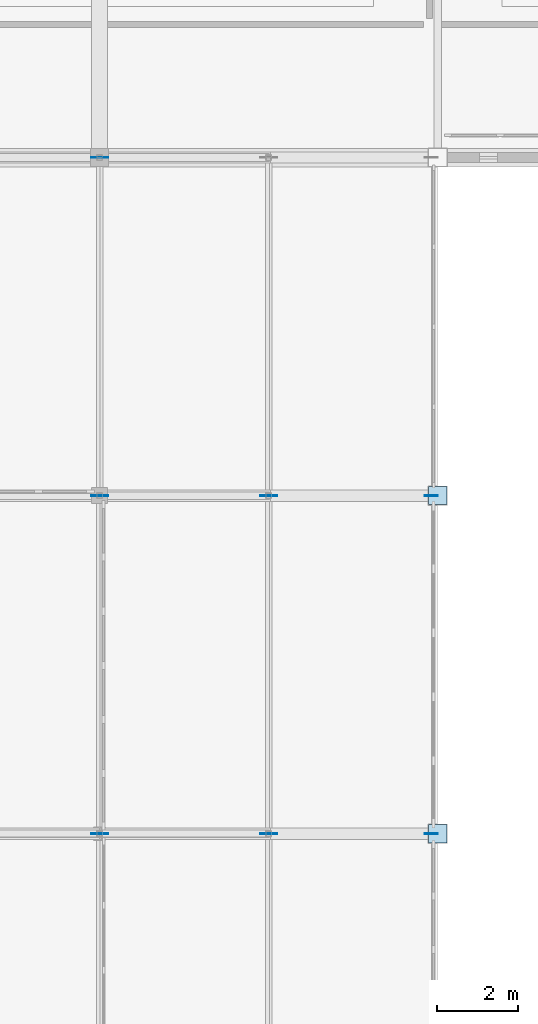
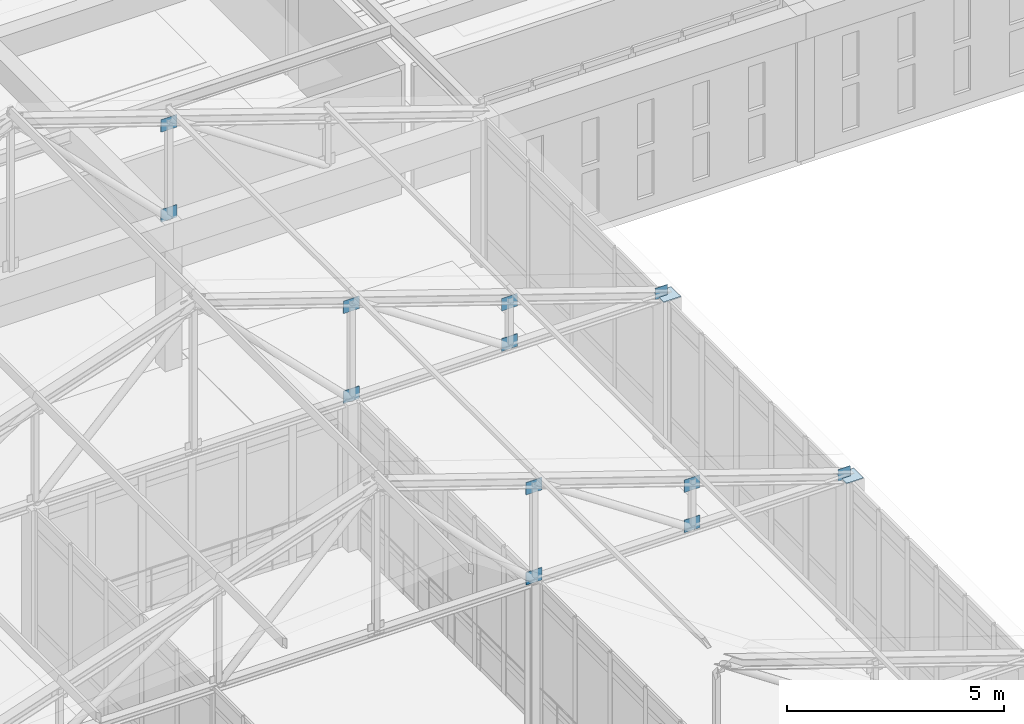
# One storey, part 154 of 192: 14 plates.
"""IFC4 building model written with IfcOpenShell, lengths in metres."""

from ifc_helpers import new_model, si_unit, direction, frame, origin, origin_2d, place, context, subcontext, project, spatial, rectangle, extrude, material, layer, layer_set, type_object, element, save


model = new_model("IFC4")

# Units and contexts
model_context = context("Model", 3, precision=1e-05, world=origin(), true_north=direction((0.0, 1.0)))
body_context = subcontext(model_context, "Body", "Model", "MODEL_VIEW")
ifc_project = project(units=[si_unit("LENGTHUNIT", "METRE"), si_unit("AREAUNIT", "SQUARE_METRE"), si_unit("VOLUMEUNIT", "CUBIC_METRE"), si_unit("PLANEANGLEUNIT", "RADIAN"), si_unit("MASSUNIT", "GRAM", prefix="KILO")], contexts=[model_context])

# Site, building, storey
site_placement = place(None, origin())
site = spatial("IfcSite", under=ifc_project, at=site_placement, CompositionType="ELEMENT")
building_placement = place(site_placement, origin())
building = spatial("IfcBuilding", under=site, at=building_placement, Name="Kveldsbrygga Polytechnic", CompositionType="ELEMENT")
storey_placement = place(building_placement, frame((0.0, 0.0, 5.43994140625)))
storey = spatial("IfcBuildingStorey", under=building, at=storey_placement, Name="L01", CompositionType="ELEMENT", Elevation=5.43994140625)

# Plates
ifc_material = material(Name="Steel S355", Category="steel")
ifc_layer_1 = layer(ifc_material, 0.030029296875)
ifc_layer_set_1 = layer_set([ifc_layer_1], Name="Steel S355")
plate_type_1 = type_object("IfcPlateType", Name="CAP-BEAR-450", PredefinedType="SHEET", material=ifc_layer_set_1)
for number, where, z_axis, x_axis, name in (
    (1, (75.60009765625, 67.199951171875, 4.08984375), (0.0, 0.0, 1.0), (1.0, 0.0, 0.0), "Truss Bearing Plate V5C-T08-B"),
    (2, (75.60009765625, 75.60009765625, 4.08984375), (0.0, 0.0, 1.0), (1.0, 0.0, 0.0), "Truss Bearing Plate V5C-T09-B"),
):
    element("IfcPlate", number, at=place(storey_placement, frame(where, z_axis=z_axis, x_axis=x_axis)), inside=storey, type_object=plate_type_1, Name=name, PredefinedType="SHEET", context=body_context, shape_type="SweptSolid", body=[
        extrude(rectangle(XDim=0.449951171875, YDim=0.449951171875, at=origin_2d()), origin(), (0.0, 0.0, 1.0), 0.030029296875),
    ])
ifc_layer_2 = layer(ifc_material, 0.01806640625)
ifc_layer_set_2 = layer_set([ifc_layer_2], Name="Steel S355")
plate_type_2 = type_object("IfcPlateType", Name="GUS-BRACE-320", PredefinedType="SHEET", material=ifc_layer_set_2)
for number, where, z_axis, x_axis, name in (
    (3, (75.43994140625, 67.199951171875, 4.080078125), (0.0, 0.0, 1.0), (1.0, 0.0, 0.0), "Truss Eaves Node Gusset V5C-T08-EGP-B"),
    (4, (75.43994140625, 75.60009765625, 4.080078125), (0.0, 0.0, 1.0), (1.0, 0.0, 0.0), "Truss Eaves Node Gusset V5C-T09-EGP-B"),
):
    element("IfcPlate", number, at=place(storey_placement, frame(where, z_axis=z_axis, x_axis=x_axis)), inside=storey, type_object=plate_type_2, Name=name, PredefinedType="SHEET", context=body_context, shape_type="SweptSolid", body=[
        extrude(rectangle(XDim=0.320068359375, YDim=0.01806640625, at=origin_2d()), origin(), (0.0, 0.0, 1.0), 0.320068359375),
    ])
ifc_layer_3 = layer(ifc_material, 0.02001953125)
ifc_layer_set_3 = layer_set([ifc_layer_3], Name="Steel S355")
plate_type_3 = type_object("IfcPlateType", Name="GUS-LECT-420", PredefinedType="SHEET", material=ifc_layer_set_3)
for number, where, z_axis, x_axis, name in (
    (5, (67.199951171875, 67.199951171875, 6.594970703125), (0.0, 0.0, 1.0), (1.0, 0.0, 0.0), "Truss Gusset Plate V5C-T08-GP-4"),
    (6, (67.199951171875, 67.199951171875, 4.06494140625), (0.0, 0.0, 1.0), (1.0, 0.0, 0.0), "Truss Bottom-Chord Node Gusset V5C-T08-BGP-4"),
    (7, (71.39990234375, 67.199951171875, 5.195068359375), (0.0, 0.0, 1.0), (1.0, 0.0, 0.0), "Truss Gusset Plate V5C-T08-GP-5"),
    (8, (71.39990234375, 67.199951171875, 4.06494140625), (0.0, 0.0, 1.0), (1.0, 0.0, 0.0), "Truss Bottom-Chord Node Gusset V5C-T08-BGP-5"),
    (9, (67.199951171875, 75.60009765625, 6.594970703125), (0.0, 0.0, 1.0), (1.0, 0.0, 0.0), "Truss Gusset Plate V5C-T09-GP-4"),
    (10, (67.199951171875, 75.60009765625, 4.06494140625), (0.0, 0.0, 1.0), (1.0, 0.0, 0.0), "Truss Bottom-Chord Node Gusset V5C-T09-BGP-4"),
    (11, (71.39990234375, 75.60009765625, 5.195068359375), (0.0, 0.0, 1.0), (1.0, 0.0, 0.0), "Truss Gusset Plate V5C-T09-GP-5"),
    (12, (71.39990234375, 75.60009765625, 4.06494140625), (0.0, 0.0, 1.0), (1.0, 0.0, 0.0), "Truss Bottom-Chord Node Gusset V5C-T09-BGP-5"),
    (13, (67.199951171875, 84.0, 6.594970703125), (0.0, 0.0, 1.0), (1.0, 0.0, 0.0), "Truss Gusset Plate V5C-T10-GP-4"),
    (14, (67.199951171875, 84.0, 4.06494140625), (0.0, 0.0, 1.0), (1.0, 0.0, 0.0), "Truss Bottom-Chord Node Gusset V5C-T10-BGP-4"),
):
    element("IfcPlate", number, at=place(storey_placement, frame(where, z_axis=z_axis, x_axis=x_axis)), inside=storey, type_object=plate_type_3, Name=name, PredefinedType="SHEET", context=body_context, shape_type="SweptSolid", body=[
        extrude(rectangle(XDim=0.419921875, YDim=0.02001953125, at=origin_2d()), origin(), (0.0, 0.0, 1.0), 0.35009765625),
    ])

save(model, "model.ifc")
